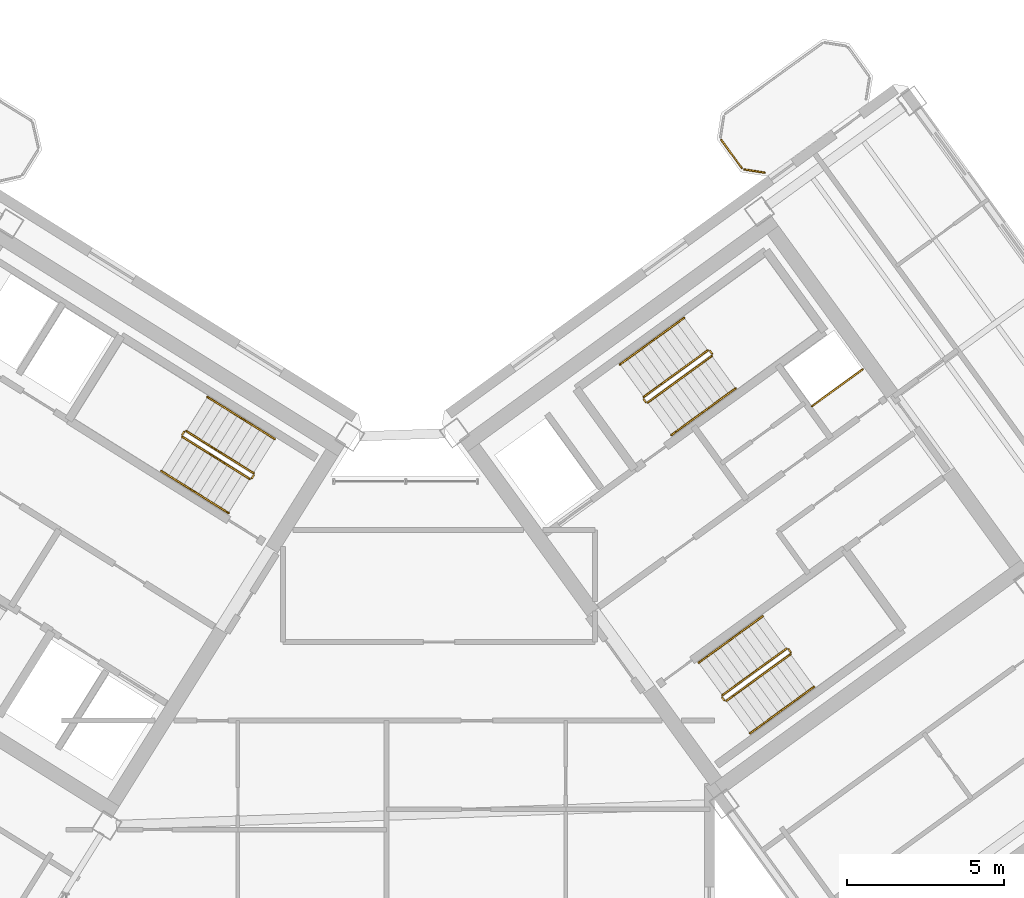
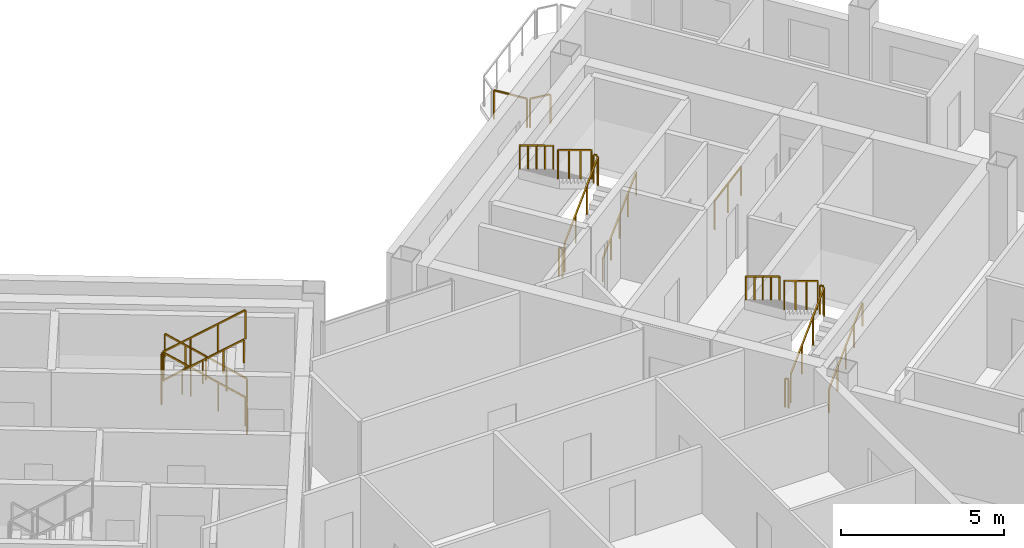
# One storey, part 24 of 25: 27 railings.
"""IFC4 building model written with IfcOpenShell, lengths in metres."""

from ifc_helpers import new_model, si_unit, direction, frame, origin, origin_2d, place, context, subcontext, project, spatial, rectangle, extrude, source, transform, mapped, material, type_object, element, save


model = new_model("IFC4")

# Units and contexts
model_context = context("Model", 3, precision=1e-05, world=origin(), true_north=direction((0.0, 1.0)))
body_context = subcontext(model_context, "Body", "Model", "MODEL_VIEW")
ifc_project = project(units=[si_unit("LENGTHUNIT", "METRE"), si_unit("AREAUNIT", "SQUARE_METRE"), si_unit("VOLUMEUNIT", "CUBIC_METRE"), si_unit("PLANEANGLEUNIT", "RADIAN"), si_unit("MASSUNIT", "GRAM", prefix="KILO")], contexts=[model_context])

# Site, building, storey
site_placement = place(None, origin())
site = spatial("IfcSite", under=ifc_project, at=site_placement, CompositionType="ELEMENT")
building_placement = place(site_placement, origin())
building = spatial("IfcBuilding", under=site, at=building_placement, Name="Tlacorven Tower", CompositionType="ELEMENT")
storey_placement = place(building_placement, frame((0.0, 0.0, 251.10009765625)))
storey = spatial("IfcBuildingStorey", under=building, at=storey_placement, Name="L63", CompositionType="ELEMENT", Elevation=251.10009765625)

# Railings
ifc_material = material(Name="Aluminium and painted steel balustrade", Category="steel")
railing_type_1 = type_object("IfcRailingType", Name="RL-GRD-1100", PredefinedType="GUARDRAIL", material=ifc_material)
shared_shape_1 = source(origin(), body_context, "Body", "SweptSolid", [
    extrude(rectangle(XDim=0.048095703125, YDim=0.048095703125, at=origin_2d()), frame((0.0, 0.0, 1.076171875), z_axis=(0.808947177504, 0.587881334972, 0.0), x_axis=(-0.587881334972, 0.808947177504, 0.0)), (0.0, 0.0, 1.0), 2.0),
    extrude(rectangle(XDim=0.0419921875, YDim=0.0419921875, at=origin_2d()), origin(), (0.0, 0.0, 1.0), 1.052001953125),
    extrude(rectangle(XDim=0.0419921875, YDim=0.0419921875, at=origin_2d()), frame((0.80908203125, 0.587890625, 0.0)), (0.0, 0.0, 1.0), 1.052001953125),
    extrude(rectangle(XDim=0.0419921875, YDim=0.0419921875, at=origin_2d()), frame((1.617919921875, 1.17578125, 0.0)), (0.0, 0.0, 1.0), 1.052001953125),
])
railing_1_placement = place(storey_placement, frame((55.506103515625, 25.438232421875, 0.0)))
element("IfcRailing", 1, at=railing_1_placement, inside=storey, type_object=railing_type_1, Name="L63 Electrical Riser E Shaft Guard 1", PredefinedType="GUARDRAIL", context=body_context, shape_type="MappedRepresentation", body=[
    mapped(shared_shape_1, transform((0.0, 0.0, 0.0), scale=1.0)),
])
railing_type_2 = type_object("IfcRailingType", Name="RL-BAL-1100", PredefinedType="BALUSTRADE", material=ifc_material)
shared_shape_2 = source(origin(), body_context, "Body", "SweptSolid", [
    extrude(rectangle(XDim=0.048095703125, YDim=0.048095703125, at=origin_2d()), frame((0.0, 0.0, 1.076171875), z_axis=(-0.987718317463, 0.156245081039, 0.0), x_axis=(-0.156245081039, -0.987718317463, 0.0)), (0.0, 0.0, 1.0), 0.66552734375),
    extrude(rectangle(XDim=0.0419921875, YDim=0.0419921875, at=origin_2d()), origin(), (0.0, 0.0, 1.0), 1.052001953125),
    extrude(rectangle(XDim=0.0419921875, YDim=0.0419921875, at=origin_2d()), frame((-0.657470703125, 0.10400390625, 0.0)), (0.0, 0.0, 1.0), 1.052001953125),
])
railing_2_placement = place(storey_placement, frame((54.00341796875, 32.8759765625, 0.0)))
element("IfcRailing", 2, at=railing_2_placement, inside=storey, type_object=railing_type_2, Name="BAL-L63-E-IN Guard Railing 1", PredefinedType="BALUSTRADE", context=body_context, shape_type="MappedRepresentation", body=[
    mapped(shared_shape_2, transform((0.0, 0.0, 0.0), scale=1.0)),
])
shared_shape_3 = source(origin(), body_context, "Body", "SweptSolid", [
    extrude(rectangle(XDim=0.048095703125, YDim=0.048095703125, at=origin_2d()), frame((0.0, 0.0, 1.076171875), z_axis=(-0.587740817519, 0.809049276263, 0.0), x_axis=(-0.809049276263, -0.587740817519, 0.0)), (0.0, 0.0, 1.0), 1.112060546875),
    extrude(rectangle(XDim=0.0419921875, YDim=0.0419921875, at=origin_2d()), origin(), (0.0, 0.0, 1.0), 1.052001953125),
    extrude(rectangle(XDim=0.0419921875, YDim=0.0419921875, at=origin_2d()), frame((-0.653564453125, 0.899658203125, 0.0)), (0.0, 0.0, 1.0), 1.052001953125),
])
railing_3_placement = place(storey_placement, frame((53.26708984375, 33.0283203125, 0.0)))
element("IfcRailing", 3, at=railing_3_placement, inside=storey, type_object=railing_type_2, Name="BAL-L63-E-IN Guard Railing 2", PredefinedType="BALUSTRADE", context=body_context, shape_type="MappedRepresentation", body=[
    mapped(shared_shape_3, transform((0.0, 0.0, 0.0), scale=1.0)),
])
shared_shape_4 = source(origin(), body_context, "Body", "SweptSolid", [
    extrude(rectangle(XDim=0.048095703125, YDim=0.048095703125, at=origin_2d()), frame((0.0, 0.0, 1.076171875), z_axis=(-0.530546985787, -0.847655529016, 0.0), x_axis=(0.847655529016, -0.530546985787, 0.0)), (0.0, 0.0, 1.0), 0.1201171875),
    extrude(rectangle(XDim=0.0419921875, YDim=0.0419921875, at=origin_2d()), origin(), (0.0, 0.0, 1.0), 1.052001953125),
    extrude(rectangle(XDim=0.0419921875, YDim=0.0419921875, at=origin_2d()), frame((-0.063720703125, -0.101806640625, 0.0)), (0.0, 0.0, 1.0), 1.052001953125),
])
railing_4_placement = place(storey_placement, frame((37.728271484375, 23.24072265625, 0.0)))
element("IfcRailing", 4, at=railing_4_placement, inside=storey, type_object=railing_type_1, Name="L63 ST-W2 stair guard 4", PredefinedType="GUARDRAIL", context=body_context, shape_type="MappedRepresentation", body=[
    mapped(shared_shape_4, transform((0.0, 0.0, 0.0), scale=1.0)),
])
railing_type_3 = type_object("IfcRailingType", Name="RL-HND-0900", PredefinedType="HANDRAIL", material=ifc_material)
shared_shape_5 = source(origin(), body_context, "Body", "SweptSolid", [
    extrude(rectangle(XDim=0.048095703125, YDim=0.048095703125, at=origin_2d()), frame((0.0, 0.0, 0.8759765625), z_axis=(-0.713359751793, 0.4457479829, 0.540764828981), x_axis=(-0.529911857636, -0.848052724267, 0.0)), (0.0, 0.0, 1.0), 1.498046875),
    extrude(rectangle(XDim=0.0419921875, YDim=0.0419921875, at=origin_2d()), origin(), (0.0, 0.0, 1.0), 0.851806640625),
    extrude(rectangle(XDim=0.0419921875, YDim=0.0419921875, at=origin_2d()), frame((-0.5341796875, 0.333984375, 0.405029296875)), (0.0, 0.0, 1.0), 0.851806640625),
    extrude(rectangle(XDim=0.0419921875, YDim=0.0419921875, at=origin_2d()), frame((-1.068603515625, 0.667724609375, 0.81005859375)), (0.0, 0.0, 1.0), 0.851806640625),
])
railing_5_placement = place(storey_placement, frame((38.390625, 24.39501953125, 0.179931640625)))
element("IfcRailing", 5, at=railing_5_placement, inside=storey, type_object=railing_type_3, Name="L63 ST-W2 stair handrail 1", PredefinedType="HANDRAIL", context=body_context, shape_type="MappedRepresentation", body=[
    mapped(shared_shape_5, transform((0.0, 0.0, 0.0), scale=1.0)),
])
shared_shape_6 = source(origin(), body_context, "Body", "SweptSolid", [
    extrude(rectangle(XDim=0.048095703125, YDim=0.048095703125, at=origin_2d()), frame((0.0, 0.0, 0.8759765625), z_axis=(0.713359751793, -0.4457479829, 0.540764828981), x_axis=(0.529911857636, 0.848052724267, 0.0)), (0.0, 0.0, 1.0), 1.498046875),
    extrude(rectangle(XDim=0.0419921875, YDim=0.0419921875, at=origin_2d()), origin(), (0.0, 0.0, 1.0), 0.851806640625),
    extrude(rectangle(XDim=0.0419921875, YDim=0.0419921875, at=origin_2d()), frame((0.5341796875, -0.333984375, 0.405029296875)), (0.0, 0.0, 1.0), 0.851806640625),
    extrude(rectangle(XDim=0.0419921875, YDim=0.0419921875, at=origin_2d()), frame((1.068603515625, -0.667724609375, 0.81005859375)), (0.0, 0.0, 1.0), 0.851806640625),
])
railing_6_placement = place(storey_placement, frame((35.848876953125, 22.705078125, 2.789794921875)))
element("IfcRailing", 6, at=railing_6_placement, inside=storey, type_object=railing_type_3, Name="L63 ST-W2 stair handrail 4", PredefinedType="HANDRAIL", context=body_context, shape_type="MappedRepresentation", body=[
    mapped(shared_shape_6, transform((0.0, 0.0, 0.0), scale=1.0)),
])
shared_shape_7 = source(origin(), body_context, "Body", "SweptSolid", [
    extrude(rectangle(XDim=0.048095703125, YDim=0.048095703125, at=origin_2d()), frame((0.0, 0.0, 1.076171875), z_axis=(-0.713351164325, 0.445793541512, 0.540738601085), x_axis=(-0.529955395941, -0.84802551749, 0.0)), (0.0, 0.0, 1.0), 2.99560546875),
    extrude(rectangle(XDim=0.0419921875, YDim=0.0419921875, at=origin_2d()), origin(), (0.0, 0.0, 1.0), 1.052001953125),
    extrude(rectangle(XDim=0.0419921875, YDim=0.0419921875, at=origin_2d()), frame((-0.71240234375, 0.445068359375, 0.5400390625)), (0.0, 0.0, 1.0), 1.052001953125),
    extrude(rectangle(XDim=0.0419921875, YDim=0.0419921875, at=origin_2d()), frame((-1.424560546875, 0.890380859375, 1.079833984375)), (0.0, 0.0, 1.0), 1.052001953125),
    extrude(rectangle(XDim=0.0419921875, YDim=0.0419921875, at=origin_2d()), frame((-2.136962890625, 1.33544921875, 1.619873046875)), (0.0, 0.0, 1.0), 1.052001953125),
])
railing_7_placement = place(storey_placement, frame((37.712158203125, 23.3095703125, 0.179931640625)))
element("IfcRailing", 7, at=railing_7_placement, inside=storey, type_object=railing_type_1, Name="L63 ST-W2 stair guard 1", PredefinedType="GUARDRAIL", context=body_context, shape_type="MappedRepresentation", body=[
    mapped(shared_shape_7, transform((0.0, 0.0, 0.0), scale=1.0)),
])
shared_shape_8 = source(origin(), body_context, "Body", "SweptSolid", [
    extrude(rectangle(XDim=0.048095703125, YDim=0.048095703125, at=origin_2d()), frame((0.0, 0.0, 0.8759765625), z_axis=(-0.713422621445, 0.445787267455, 0.540649494022), x_axis=(-0.529911857636, -0.848052724267, 0.0)), (0.0, 0.0, 1.0), 1.497802734375),
    extrude(rectangle(XDim=0.0419921875, YDim=0.0419921875, at=origin_2d()), origin(), (0.0, 0.0, 1.0), 0.851806640625),
    extrude(rectangle(XDim=0.0419921875, YDim=0.0419921875, at=origin_2d()), frame((-0.5341796875, 0.333984375, 0.40478515625)), (0.0, 0.0, 1.0), 0.851806640625),
    extrude(rectangle(XDim=0.0419921875, YDim=0.0419921875, at=origin_2d()), frame((-1.068603515625, 0.667724609375, 0.809814453125)), (0.0, 0.0, 1.0), 0.851806640625),
])
railing_8_placement = place(storey_placement, frame((37.322021484375, 25.062744140625, 0.989990234375)))
element("IfcRailing", 8, at=railing_8_placement, inside=storey, type_object=railing_type_3, Name="L63 ST-W2 stair handrail 2", PredefinedType="HANDRAIL", context=body_context, shape_type="MappedRepresentation", body=[
    mapped(shared_shape_8, transform((0.0, 0.0, 0.0), scale=1.0)),
])
shared_shape_9 = source(origin(), body_context, "Body", "SweptSolid", [
    extrude(rectangle(XDim=0.048095703125, YDim=0.048095703125, at=origin_2d()), frame((0.0, 0.0, 0.8759765625), z_axis=(0.713422621445, -0.445787267455, 0.540649494022), x_axis=(0.529911857636, 0.848052724267, 0.0)), (0.0, 0.0, 1.0), 1.497802734375),
    extrude(rectangle(XDim=0.0419921875, YDim=0.0419921875, at=origin_2d()), origin(), (0.0, 0.0, 1.0), 0.851806640625),
    extrude(rectangle(XDim=0.0419921875, YDim=0.0419921875, at=origin_2d()), frame((0.5341796875, -0.333984375, 0.40478515625)), (0.0, 0.0, 1.0), 0.851806640625),
    extrude(rectangle(XDim=0.0419921875, YDim=0.0419921875, at=origin_2d()), frame((1.068603515625, -0.667724609375, 0.809814453125)), (0.0, 0.0, 1.0), 0.851806640625),
])
railing_9_placement = place(storey_placement, frame((34.7802734375, 23.372802734375, 1.97998046875)))
element("IfcRailing", 9, at=railing_9_placement, inside=storey, type_object=railing_type_3, Name="L63 ST-W2 stair handrail 3", PredefinedType="HANDRAIL", context=body_context, shape_type="MappedRepresentation", body=[
    mapped(shared_shape_9, transform((0.0, 0.0, 0.0), scale=1.0)),
])
shared_shape_10 = source(origin(), body_context, "Body", "SweptSolid", [
    extrude(rectangle(XDim=0.048095703125, YDim=0.048095703125, at=origin_2d()), frame((0.0, 0.0, 1.076171875), z_axis=(-0.531462422766, -0.847081869236, 0.0), x_axis=(0.847081869236, -0.531462422766, 0.0)), (0.0, 0.0, 1.0), 0.119873046875),
    extrude(rectangle(XDim=0.0419921875, YDim=0.0419921875, at=origin_2d()), origin(), (0.0, 0.0, 1.0), 1.052001953125),
    extrude(rectangle(XDim=0.0419921875, YDim=0.0419921875, at=origin_2d()), frame((-0.063720703125, -0.1015625, 0.0)), (0.0, 0.0, 1.0), 1.052001953125),
])
railing_10_placement = place(storey_placement, frame((35.50634765625, 24.62890625, 1.7998046875)))
element("IfcRailing", 10, at=railing_10_placement, inside=storey, type_object=railing_type_1, Name="L63 ST-W2 stair guard 2", PredefinedType="GUARDRAIL", context=body_context, shape_type="MappedRepresentation", body=[
    mapped(shared_shape_10, transform((0.0, 0.0, 0.0), scale=1.0)),
])
shared_shape_11 = source(origin(), body_context, "Body", "SweptSolid", [
    extrude(rectangle(XDim=0.048095703125, YDim=0.048095703125, at=origin_2d()), frame((0.0, 0.0, 1.076171875), z_axis=(0.713417101326, -0.445702322042, 0.540726806865), x_axis=(0.52984217967, 0.848096259066, 0.0)), (0.0, 0.0, 1.0), 2.995849609375),
    extrude(rectangle(XDim=0.0419921875, YDim=0.0419921875, at=origin_2d()), origin(), (0.0, 0.0, 1.0), 1.052001953125),
    extrude(rectangle(XDim=0.0419921875, YDim=0.0419921875, at=origin_2d()), frame((0.71240234375, -0.445068359375, 0.5400390625)), (0.0, 0.0, 1.0), 1.052001953125),
    extrude(rectangle(XDim=0.0419921875, YDim=0.0419921875, at=origin_2d()), frame((1.4248046875, -0.89013671875, 1.079833984375)), (0.0, 0.0, 1.0), 1.052001953125),
    extrude(rectangle(XDim=0.0419921875, YDim=0.0419921875, at=origin_2d()), frame((2.13720703125, -1.335205078125, 1.619873046875)), (0.0, 0.0, 1.0), 1.052001953125),
])
railing_11_placement = place(storey_placement, frame((35.45849609375, 24.458251953125, 1.97998046875)))
element("IfcRailing", 11, at=railing_11_placement, inside=storey, type_object=railing_type_1, Name="L63 ST-W2 stair guard 3", PredefinedType="GUARDRAIL", context=body_context, shape_type="MappedRepresentation", body=[
    mapped(shared_shape_11, transform((0.0, 0.0, 0.0), scale=1.0)),
])
shared_shape_12 = source(origin(), body_context, "Body", "SweptSolid", [
    extrude(rectangle(XDim=0.048095703125, YDim=0.048095703125, at=origin_2d()), frame((0.0, 0.0, 1.076171875), z_axis=(-0.587567097037, 0.809175448515, 0.0), x_axis=(-0.809175448515, -0.587567097037, 0.0)), (0.0, 0.0, 1.0), 0.1201171875),
    extrude(rectangle(XDim=0.0419921875, YDim=0.0419921875, at=origin_2d()), origin(), (0.0, 0.0, 1.0), 1.052001953125),
    extrude(rectangle(XDim=0.0419921875, YDim=0.0419921875, at=origin_2d()), frame((-0.070556640625, 0.09716796875, 0.0)), (0.0, 0.0, 1.0), 1.052001953125),
])
for number, where, name in (
    (12, (54.8310546875, 17.605712890625, 1.7998046875), "L63 ST-E2 stair guard 2"),
    (13, (52.71142578125, 16.065673828125, 0.0), "L63 ST-E2 stair guard 4"),
):
    element("IfcRailing", number, at=place(storey_placement, frame(where)), inside=storey, type_object=railing_type_1, Name=name, PredefinedType="GUARDRAIL", context=body_context, shape_type="MappedRepresentation", body=[
        mapped(shared_shape_12, transform((0.0, 0.0, 0.0), scale=1.0)),
    ])
shared_shape_13 = source(origin(), body_context, "Body", "SweptSolid", [
    extrude(rectangle(XDim=0.048095703125, YDim=0.048095703125, at=origin_2d()), frame((0.0, 0.0, 1.076171875), z_axis=(-0.587201422542, 0.809440849824, 0.0), x_axis=(-0.809440849824, -0.587201422542, 0.0)), (0.0, 0.0, 1.0), 0.11962890625),
    extrude(rectangle(XDim=0.0419921875, YDim=0.0419921875, at=origin_2d()), origin(), (0.0, 0.0, 1.0), 1.052001953125),
    extrude(rectangle(XDim=0.0419921875, YDim=0.0419921875, at=origin_2d()), frame((-0.0703125, 0.096923828125, 0.0)), (0.0, 0.0, 1.0), 1.052001953125),
])
for number, where, name in (
    (14, (52.326904296875, 27.10888671875, 1.7998046875), "L63 ST-E1 stair guard 2"),
    (15, (50.207275390625, 25.56884765625, 0.0), "L63 ST-E1 stair guard 4"),
):
    element("IfcRailing", number, at=place(storey_placement, frame(where)), inside=storey, type_object=railing_type_1, Name=name, PredefinedType="GUARDRAIL", context=body_context, shape_type="MappedRepresentation", body=[
        mapped(shared_shape_13, transform((0.0, 0.0, 0.0), scale=1.0)),
    ])
shared_shape_14 = source(origin(), body_context, "Body", "SweptSolid", [
    extrude(rectangle(XDim=0.048095703125, YDim=0.048095703125, at=origin_2d()), frame((0.0, 0.0, 0.8759765625), z_axis=(0.680516055757, 0.494372502302, 0.540826891737), x_axis=(-0.587745292299, 0.809046025502, 0.0)), (0.0, 0.0, 1.0), 1.497802734375),
    extrude(rectangle(XDim=0.0419921875, YDim=0.0419921875, at=origin_2d()), origin(), (0.0, 0.0, 1.0), 0.851806640625),
    extrude(rectangle(XDim=0.0419921875, YDim=0.0419921875, at=origin_2d()), frame((0.509765625, 0.3701171875, 0.405029296875)), (0.0, 0.0, 1.0), 0.851806640625),
    extrude(rectangle(XDim=0.0419921875, YDim=0.0419921875, at=origin_2d()), frame((1.019287109375, 0.740478515625, 0.81005859375)), (0.0, 0.0, 1.0), 0.851806640625),
])
railing_12_placement = place(storey_placement, frame((51.029541015625, 24.522216796875, 0.179931640625)))
element("IfcRailing", 16, at=railing_12_placement, inside=storey, type_object=railing_type_3, Name="L63 ST-E1 stair handrail 1", PredefinedType="HANDRAIL", context=body_context, shape_type="MappedRepresentation", body=[
    mapped(shared_shape_14, transform((0.0, 0.0, 0.0), scale=1.0)),
])
shared_shape_15 = source(origin(), body_context, "Body", "SweptSolid", [
    extrude(rectangle(XDim=0.048095703125, YDim=0.048095703125, at=origin_2d()), frame((0.0, 0.0, 0.8759765625), z_axis=(-0.680461216233, -0.494495647917, 0.540783309093), x_axis=(0.587872112667, -0.808953879494, 0.0)), (0.0, 0.0, 1.0), 1.498046875),
    extrude(rectangle(XDim=0.0419921875, YDim=0.0419921875, at=origin_2d()), origin(), (0.0, 0.0, 1.0), 0.851806640625),
    extrude(rectangle(XDim=0.0419921875, YDim=0.0419921875, at=origin_2d()), frame((-0.509765625, -0.370361328125, 0.405029296875)), (0.0, 0.0, 1.0), 0.851806640625),
    extrude(rectangle(XDim=0.0419921875, YDim=0.0419921875, at=origin_2d()), frame((-1.019287109375, -0.74072265625, 0.81005859375)), (0.0, 0.0, 1.0), 0.851806640625),
])
for number, where, name in (
    (17, (50.414794921875, 27.511962890625, 2.789794921875), "L63 ST-E1 stair handrail 4"),
    (18, (52.9189453125, 18.0087890625, 2.789794921875), "L63 ST-E2 stair handrail 4"),
):
    element("IfcRailing", number, at=place(storey_placement, frame(where)), inside=storey, type_object=railing_type_3, Name=name, PredefinedType="HANDRAIL", context=body_context, shape_type="MappedRepresentation", body=[
        mapped(shared_shape_15, transform((0.0, 0.0, 0.0), scale=1.0)),
    ])
shared_shape_16 = source(origin(), body_context, "Body", "SweptSolid", [
    extrude(rectangle(XDim=0.048095703125, YDim=0.048095703125, at=origin_2d()), frame((0.0, 0.0, 1.076171875), z_axis=(0.680518627673, 0.494455869951, 0.540747436481), x_axis=(-0.5878087079, 0.808999952359, 0.0)), (0.0, 0.0, 1.0), 2.99560546875),
    extrude(rectangle(XDim=0.0419921875, YDim=0.0419921875, at=origin_2d()), origin(), (0.0, 0.0, 1.0), 1.052001953125),
    extrude(rectangle(XDim=0.0419921875, YDim=0.0419921875, at=origin_2d()), frame((0.679443359375, 0.49365234375, 0.5400390625)), (0.0, 0.0, 1.0), 1.052001953125),
    extrude(rectangle(XDim=0.0419921875, YDim=0.0419921875, at=origin_2d()), frame((1.359130859375, 0.987548828125, 1.079833984375)), (0.0, 0.0, 1.0), 1.052001953125),
    extrude(rectangle(XDim=0.0419921875, YDim=0.0419921875, at=origin_2d()), frame((2.03857421875, 1.481201171875, 1.619873046875)), (0.0, 0.0, 1.0), 1.052001953125),
])
railing_13_placement = place(storey_placement, frame((50.27734375, 25.557861328125, 0.179931640625)))
element("IfcRailing", 19, at=railing_13_placement, inside=storey, type_object=railing_type_1, Name="L63 ST-E1 stair guard 1", PredefinedType="GUARDRAIL", context=body_context, shape_type="MappedRepresentation", body=[
    mapped(shared_shape_16, transform((0.0, 0.0, 0.0), scale=1.0)),
])
shared_shape_17 = source(origin(), body_context, "Body", "SweptSolid", [
    extrude(rectangle(XDim=0.048095703125, YDim=0.048095703125, at=origin_2d()), frame((0.0, 0.0, 1.076171875), z_axis=(-0.680518627673, -0.494455869951, 0.540747436481), x_axis=(0.5878087079, -0.808999952359, 0.0)), (0.0, 0.0, 1.0), 2.99560546875),
    extrude(rectangle(XDim=0.0419921875, YDim=0.0419921875, at=origin_2d()), origin(), (0.0, 0.0, 1.0), 1.052001953125),
    extrude(rectangle(XDim=0.0419921875, YDim=0.0419921875, at=origin_2d()), frame((-0.679443359375, -0.49365234375, 0.5400390625)), (0.0, 0.0, 1.0), 1.052001953125),
    extrude(rectangle(XDim=0.0419921875, YDim=0.0419921875, at=origin_2d()), frame((-1.359130859375, -0.987548828125, 1.079833984375)), (0.0, 0.0, 1.0), 1.052001953125),
    extrude(rectangle(XDim=0.0419921875, YDim=0.0419921875, at=origin_2d()), frame((-2.03857421875, -1.481201171875, 1.619873046875)), (0.0, 0.0, 1.0), 1.052001953125),
])
railing_14_placement = place(storey_placement, frame((52.1865234375, 27.217041015625, 1.97998046875)))
element("IfcRailing", 20, at=railing_14_placement, inside=storey, type_object=railing_type_1, Name="L63 ST-E1 stair guard 3", PredefinedType="GUARDRAIL", context=body_context, shape_type="MappedRepresentation", body=[
    mapped(shared_shape_17, transform((0.0, 0.0, 0.0), scale=1.0)),
])
shared_shape_18 = source(origin(), body_context, "Body", "SweptSolid", [
    extrude(rectangle(XDim=0.048095703125, YDim=0.048095703125, at=origin_2d()), frame((0.0, 0.0, 0.8759765625), z_axis=(0.680608688748, 0.494484377792, 0.540608003012), x_axis=(-0.587779977844, 0.80902082646, 0.0)), (0.0, 0.0, 1.0), 1.498046875),
    extrude(rectangle(XDim=0.0419921875, YDim=0.0419921875, at=origin_2d()), origin(), (0.0, 0.0, 1.0), 0.851806640625),
    extrude(rectangle(XDim=0.0419921875, YDim=0.0419921875, at=origin_2d()), frame((0.509765625, 0.370361328125, 0.40478515625)), (0.0, 0.0, 1.0), 0.851806640625),
    extrude(rectangle(XDim=0.0419921875, YDim=0.0419921875, at=origin_2d()), frame((1.01953125, 0.74072265625, 0.809814453125)), (0.0, 0.0, 1.0), 0.851806640625),
])
railing_15_placement = place(storey_placement, frame((52.048828125, 25.2626953125, 0.989990234375)))
element("IfcRailing", 21, at=railing_15_placement, inside=storey, type_object=railing_type_3, Name="L63 ST-E1 stair handrail 2", PredefinedType="HANDRAIL", context=body_context, shape_type="MappedRepresentation", body=[
    mapped(shared_shape_18, transform((0.0, 0.0, 0.0), scale=1.0)),
])
shared_shape_19 = source(origin(), body_context, "Body", "SweptSolid", [
    extrude(rectangle(XDim=0.048095703125, YDim=0.048095703125, at=origin_2d()), frame((0.0, 0.0, 0.8759765625), z_axis=(-0.680663537655, -0.494361233168, 0.540651569541), x_axis=(0.587653156371, -0.809112951205, 0.0)), (0.0, 0.0, 1.0), 1.497802734375),
    extrude(rectangle(XDim=0.0419921875, YDim=0.0419921875, at=origin_2d()), origin(), (0.0, 0.0, 1.0), 0.851806640625),
    extrude(rectangle(XDim=0.0419921875, YDim=0.0419921875, at=origin_2d()), frame((-0.509765625, -0.3701171875, 0.40478515625)), (0.0, 0.0, 1.0), 0.851806640625),
    extrude(rectangle(XDim=0.0419921875, YDim=0.0419921875, at=origin_2d()), frame((-1.01953125, -0.740478515625, 0.809814453125)), (0.0, 0.0, 1.0), 0.851806640625),
])
railing_16_placement = place(storey_placement, frame((51.434326171875, 28.25244140625, 1.97998046875)))
element("IfcRailing", 22, at=railing_16_placement, inside=storey, type_object=railing_type_3, Name="L63 ST-E1 stair handrail 3", PredefinedType="HANDRAIL", context=body_context, shape_type="MappedRepresentation", body=[
    mapped(shared_shape_19, transform((0.0, 0.0, 0.0), scale=1.0)),
])
shared_shape_20 = source(origin(), body_context, "Body", "SweptSolid", [
    extrude(rectangle(XDim=0.048095703125, YDim=0.048095703125, at=origin_2d()), frame((0.0, 0.0, 0.8759765625), z_axis=(0.680576044605, 0.494416082224, 0.54071155448), x_axis=(-0.587745292299, 0.809046025502, 0.0)), (0.0, 0.0, 1.0), 1.497802734375),
    extrude(rectangle(XDim=0.0419921875, YDim=0.0419921875, at=origin_2d()), origin(), (0.0, 0.0, 1.0), 0.851806640625),
    extrude(rectangle(XDim=0.0419921875, YDim=0.0419921875, at=origin_2d()), frame((0.509765625, 0.3701171875, 0.40478515625)), (0.0, 0.0, 1.0), 0.851806640625),
    extrude(rectangle(XDim=0.0419921875, YDim=0.0419921875, at=origin_2d()), frame((1.019287109375, 0.740478515625, 0.809814453125)), (0.0, 0.0, 1.0), 0.851806640625),
])
railing_17_placement = place(storey_placement, frame((54.552978515625, 15.759765625, 0.989990234375)))
element("IfcRailing", 23, at=railing_17_placement, inside=storey, type_object=railing_type_3, Name="L63 ST-E2 stair handrail 2", PredefinedType="HANDRAIL", context=body_context, shape_type="MappedRepresentation", body=[
    mapped(shared_shape_20, transform((0.0, 0.0, 0.0), scale=1.0)),
])
shared_shape_21 = source(origin(), body_context, "Body", "SweptSolid", [
    extrude(rectangle(XDim=0.048095703125, YDim=0.048095703125, at=origin_2d()), frame((0.0, 0.0, 0.8759765625), z_axis=(0.680461216233, 0.494495647917, 0.540783309093), x_axis=(-0.587872112667, 0.808953879494, 0.0)), (0.0, 0.0, 1.0), 1.498046875),
    extrude(rectangle(XDim=0.0419921875, YDim=0.0419921875, at=origin_2d()), origin(), (0.0, 0.0, 1.0), 0.851806640625),
    extrude(rectangle(XDim=0.0419921875, YDim=0.0419921875, at=origin_2d()), frame((0.509765625, 0.370361328125, 0.405029296875)), (0.0, 0.0, 1.0), 0.851806640625),
    extrude(rectangle(XDim=0.0419921875, YDim=0.0419921875, at=origin_2d()), frame((1.019287109375, 0.74072265625, 0.81005859375)), (0.0, 0.0, 1.0), 0.851806640625),
])
railing_18_placement = place(storey_placement, frame((53.53369140625, 15.01904296875, 0.179931640625)))
element("IfcRailing", 24, at=railing_18_placement, inside=storey, type_object=railing_type_3, Name="L63 ST-E2 stair handrail 1", PredefinedType="HANDRAIL", context=body_context, shape_type="MappedRepresentation", body=[
    mapped(shared_shape_21, transform((0.0, 0.0, 0.0), scale=1.0)),
])
shared_shape_22 = source(origin(), body_context, "Body", "SweptSolid", [
    extrude(rectangle(XDim=0.048095703125, YDim=0.048095703125, at=origin_2d()), frame((0.0, 0.0, 1.076171875), z_axis=(0.680562380517, 0.494428447203, 0.540717446381), x_axis=(-0.587762637553, 0.809033424462, 0.0)), (0.0, 0.0, 1.0), 2.995849609375),
    extrude(rectangle(XDim=0.0419921875, YDim=0.0419921875, at=origin_2d()), origin(), (0.0, 0.0, 1.0), 1.052001953125),
    extrude(rectangle(XDim=0.0419921875, YDim=0.0419921875, at=origin_2d()), frame((0.6796875, 0.49365234375, 0.5400390625)), (0.0, 0.0, 1.0), 1.052001953125),
    extrude(rectangle(XDim=0.0419921875, YDim=0.0419921875, at=origin_2d()), frame((1.359130859375, 0.987548828125, 1.079833984375)), (0.0, 0.0, 1.0), 1.052001953125),
    extrude(rectangle(XDim=0.0419921875, YDim=0.0419921875, at=origin_2d()), frame((2.038818359375, 1.481201171875, 1.619873046875)), (0.0, 0.0, 1.0), 1.052001953125),
])
railing_19_placement = place(storey_placement, frame((52.78125, 16.0546875, 0.179931640625)))
element("IfcRailing", 25, at=railing_19_placement, inside=storey, type_object=railing_type_1, Name="L63 ST-E2 stair guard 1", PredefinedType="GUARDRAIL", context=body_context, shape_type="MappedRepresentation", body=[
    mapped(shared_shape_22, transform((0.0, 0.0, 0.0), scale=1.0)),
])
shared_shape_23 = source(origin(), body_context, "Body", "SweptSolid", [
    extrude(rectangle(XDim=0.048095703125, YDim=0.048095703125, at=origin_2d()), frame((0.0, 0.0, 1.076171875), z_axis=(-0.680562380517, -0.494428447203, 0.540717446381), x_axis=(0.587762637553, -0.809033424462, 0.0)), (0.0, 0.0, 1.0), 2.995849609375),
    extrude(rectangle(XDim=0.0419921875, YDim=0.0419921875, at=origin_2d()), origin(), (0.0, 0.0, 1.0), 1.052001953125),
    extrude(rectangle(XDim=0.0419921875, YDim=0.0419921875, at=origin_2d()), frame((-0.6796875, -0.49365234375, 0.5400390625)), (0.0, 0.0, 1.0), 1.052001953125),
    extrude(rectangle(XDim=0.0419921875, YDim=0.0419921875, at=origin_2d()), frame((-1.359130859375, -0.987548828125, 1.079833984375)), (0.0, 0.0, 1.0), 1.052001953125),
    extrude(rectangle(XDim=0.0419921875, YDim=0.0419921875, at=origin_2d()), frame((-2.038818359375, -1.481201171875, 1.619873046875)), (0.0, 0.0, 1.0), 1.052001953125),
])
railing_20_placement = place(storey_placement, frame((54.690673828125, 17.7138671875, 1.97998046875)))
element("IfcRailing", 26, at=railing_20_placement, inside=storey, type_object=railing_type_1, Name="L63 ST-E2 stair guard 3", PredefinedType="GUARDRAIL", context=body_context, shape_type="MappedRepresentation", body=[
    mapped(shared_shape_23, transform((0.0, 0.0, 0.0), scale=1.0)),
])
shared_shape_24 = source(origin(), body_context, "Body", "SweptSolid", [
    extrude(rectangle(XDim=0.048095703125, YDim=0.048095703125, at=origin_2d()), frame((0.0, 0.0, 0.8759765625), z_axis=(-0.680576044605, -0.494416082224, 0.54071155448), x_axis=(0.587745292299, -0.809046025502, 0.0)), (0.0, 0.0, 1.0), 1.497802734375),
    extrude(rectangle(XDim=0.0419921875, YDim=0.0419921875, at=origin_2d()), origin(), (0.0, 0.0, 1.0), 0.851806640625),
    extrude(rectangle(XDim=0.0419921875, YDim=0.0419921875, at=origin_2d()), frame((-0.509765625, -0.3701171875, 0.40478515625)), (0.0, 0.0, 1.0), 0.851806640625),
    extrude(rectangle(XDim=0.0419921875, YDim=0.0419921875, at=origin_2d()), frame((-1.019287109375, -0.740478515625, 0.809814453125)), (0.0, 0.0, 1.0), 0.851806640625),
])
railing_21_placement = place(storey_placement, frame((53.938232421875, 18.749267578125, 1.97998046875)))
element("IfcRailing", 27, at=railing_21_placement, inside=storey, type_object=railing_type_3, Name="L63 ST-E2 stair handrail 3", PredefinedType="HANDRAIL", context=body_context, shape_type="MappedRepresentation", body=[
    mapped(shared_shape_24, transform((0.0, 0.0, 0.0), scale=1.0)),
])

save(model, "model.ifc")
